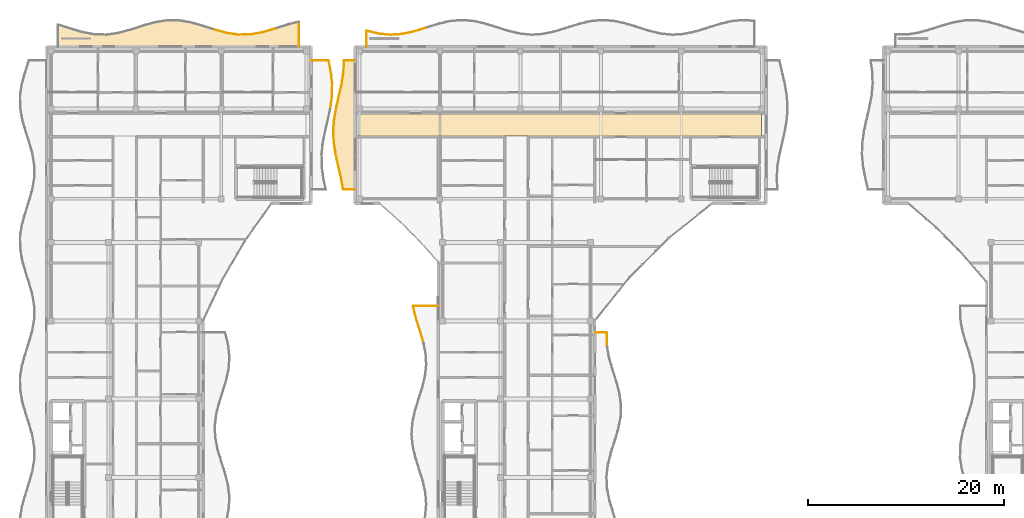
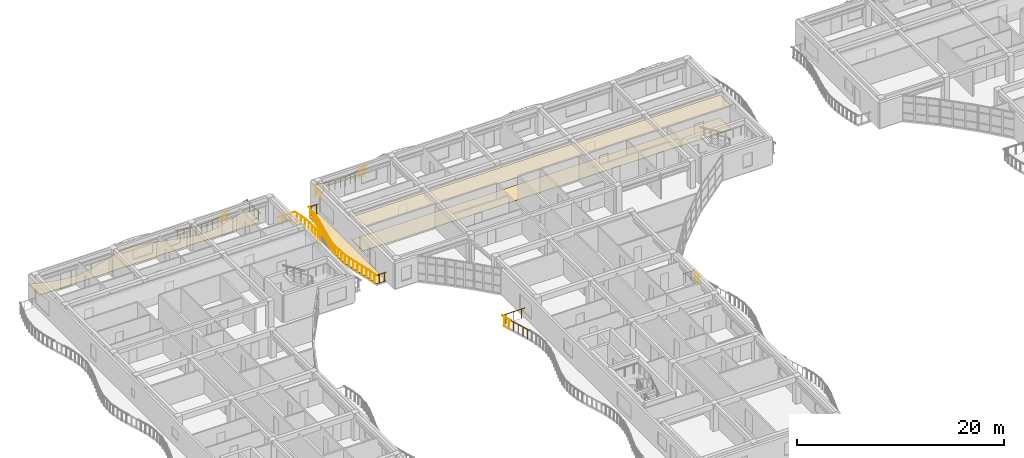
# One storey, part 56 of 72: 36 railings, 4 coverings.
"""IFC4 building model written with IfcOpenShell, lengths in metres."""

from ifc_helpers import new_model, si_unit, direction, frame, origin, origin_2d, place, context, subcontext, project, spatial, polyline, circle, outline, extrude, material, layer, layer_set, type_object, element, save


model = new_model("IFC4")

# Units and contexts
model_context = context("Model", 3, precision=1e-05, world=origin(), true_north=direction((0.0, 1.0)))
body_context = subcontext(model_context, "Body", "Model", "MODEL_VIEW")
ifc_project = project(units=[si_unit("LENGTHUNIT", "METRE"), si_unit("AREAUNIT", "SQUARE_METRE"), si_unit("VOLUMEUNIT", "CUBIC_METRE"), si_unit("PLANEANGLEUNIT", "RADIAN"), si_unit("MASSUNIT", "GRAM", prefix="KILO")], contexts=[model_context])

# Site, building, storey
site_placement = place(None, origin())
site = spatial("IfcSite", under=ifc_project, at=site_placement, CompositionType="ELEMENT")
building_placement = place(site_placement, origin())
building = spatial("IfcBuilding", under=site, at=building_placement, Name="Keldmere Railside Commons", CompositionType="ELEMENT")
storey_placement = place(building_placement, frame((0.0, 0.0, 16.9599609375)))
storey = spatial("IfcBuildingStorey", under=building, at=storey_placement, Name="L05", CompositionType="ELEMENT", Elevation=16.9599609375)

# Railings
ifc_material_1 = material(Name="Steel F-24 (S235)", Category="steel")
railing_type = type_object("IfcRailingType", Name="Balcony & Terrace Steel Balustrade 1100", PredefinedType="BALUSTRADE", material=ifc_material_1)
railing_1_placement = place(storey_placement, frame((25.18994140625, 117.726806640625, 0.0)))
element("IfcRailing", 1, at=railing_1_placement, inside=storey, type_object=railing_type, Name="GR-1 GRD-L05-0517", PredefinedType="BALUSTRADE", context=body_context, shape_type="SweptSolid", body=[
    extrude(circle(Radius=0.02392578125, at=origin_2d()), frame((0.0, 0.0, 1.076171875), z_axis=(0.964909527657, -0.26258256499, 0.0), x_axis=(0.26258256499, 0.964909527657, 0.0)), (0.0, 0.0, 1.0), 1.274658203125),
    extrude(circle(Radius=0.02099609375, at=origin_2d()), frame((0.3076171875, -0.083740234375, 0.0)), (0.0, 0.0, 1.0), 1.048095703125),
    extrude(circle(Radius=0.02099609375, at=origin_2d()), frame((0.92236328125, -0.2509765625, 0.0)), (0.0, 0.0, 1.0), 1.048095703125),
])
railing_2_placement = place(storey_placement, frame((26.419921875, 117.39208984375, 0.0)))
element("IfcRailing", 2, at=railing_2_placement, inside=storey, type_object=railing_type, Name="GR-1 GRD-L05-0518", PredefinedType="BALUSTRADE", context=body_context, shape_type="SweptSolid", body=[
    extrude(circle(Radius=0.02392578125, at=origin_2d()), frame((0.0, 0.0, 1.076171875), z_axis=(0.989692500415, -0.143208779834, 0.0), x_axis=(0.143208779834, 0.989692500415, 0.0)), (0.0, 0.0, 1.0), 1.24267578125),
    extrude(circle(Radius=0.02099609375, at=origin_2d()), frame((0.3076171875, -0.04443359375, 0.0)), (0.0, 0.0, 1.0), 1.048095703125),
    extrude(circle(Radius=0.02099609375, at=origin_2d()), frame((0.92236328125, -0.133544921875, 0.0)), (0.0, 0.0, 1.0), 1.048095703125),
])
railing_3_placement = place(storey_placement, frame((27.64990234375, 117.214111328125, 0.0)))
element("IfcRailing", 3, at=railing_3_placement, inside=storey, type_object=railing_type, Name="GR-1 GRD-L05-0519", PredefinedType="BALUSTRADE", context=body_context, shape_type="SweptSolid", body=[
    extrude(circle(Radius=0.02392578125, at=origin_2d()), frame((0.0, 0.0, 1.076171875), z_axis=(0.999716448844, 0.023812221886, 0.0), x_axis=(-0.023812221886, 0.999716448844, 0.0)), (0.0, 0.0, 1.0), 1.230224609375),
    extrude(circle(Radius=0.02099609375, at=origin_2d()), frame((0.3076171875, 0.00732421875, 0.0)), (0.0, 0.0, 1.0), 1.048095703125),
    extrude(circle(Radius=0.02099609375, at=origin_2d()), frame((0.92236328125, 0.02197265625, 0.0)), (0.0, 0.0, 1.0), 1.048095703125),
])
railing_4_placement = place(storey_placement, frame((28.8798828125, 117.243408203125, 0.0)))
element("IfcRailing", 4, at=railing_4_placement, inside=storey, type_object=railing_type, Name="GR-1 GRD-L05-0520", PredefinedType="BALUSTRADE", context=body_context, shape_type="SweptSolid", body=[
    extrude(circle(Radius=0.02392578125, at=origin_2d()), frame((0.0, 0.0, 1.076171875), z_axis=(0.983287180592, 0.182061309683, 0.0), x_axis=(-0.182061309683, 0.983287180592, 0.0)), (0.0, 0.0, 1.0), 1.251220703125),
    extrude(circle(Radius=0.02099609375, at=origin_2d()), frame((0.3076171875, 0.056884765625, 0.0)), (0.0, 0.0, 1.0), 1.048095703125),
    extrude(circle(Radius=0.02099609375, at=origin_2d()), frame((0.922607421875, 0.1708984375, 0.0)), (0.0, 0.0, 1.0), 1.048095703125),
])
railing_5_placement = place(storey_placement, frame((30.110107421875, 117.47119140625, 0.0)))
element("IfcRailing", 5, at=railing_5_placement, inside=storey, type_object=railing_type, Name="GR-1 GRD-L05-0521", PredefinedType="BALUSTRADE", context=body_context, shape_type="SweptSolid", body=[
    extrude(circle(Radius=0.02392578125, at=origin_2d()), frame((0.0, 0.0, 1.076171875), z_axis=(0.959250209605, 0.282558021249, 0.0), x_axis=(-0.282558021249, 0.959250209605, 0.0)), (0.0, 0.0, 1.0), 1.2822265625),
    extrude(circle(Radius=0.02099609375, at=origin_2d()), frame((0.3076171875, 0.090576171875, 0.0)), (0.0, 0.0, 1.0), 1.048095703125),
    extrude(circle(Radius=0.02099609375, at=origin_2d()), frame((0.92236328125, 0.271728515625, 0.0)), (0.0, 0.0, 1.0), 1.048095703125),
])
railing_6_placement = place(storey_placement, frame((33.800048828125, 118.54541015625, 0.0)))
element("IfcRailing", 6, at=railing_6_placement, inside=storey, type_object=railing_type, Name="GR-1 GRD-L05-0524", PredefinedType="BALUSTRADE", context=body_context, shape_type="SweptSolid", body=[
    extrude(circle(Radius=0.02392578125, at=origin_2d()), frame((0.0, 0.0, 1.076171875), z_axis=(0.0, -1.0, 0.0), x_axis=(1.0, 0.0, 0.0)), (0.0, 0.0, 1.0), 2.54541015625),
    extrude(circle(Radius=0.02099609375, at=origin_2d()), frame((0.0, -0.42431640625, 0.0)), (0.0, 0.0, 1.0), 1.048095703125),
    extrude(circle(Radius=0.02099609375, at=origin_2d()), frame((0.0, -1.272705078125, 0.0)), (0.0, 0.0, 1.0), 1.048095703125),
    extrude(circle(Radius=0.02099609375, at=origin_2d()), frame((0.0, -2.12109375, 0.0)), (0.0, 0.0, 1.0), 1.048095703125),
])
railing_7_placement = place(storey_placement, frame((37.017578125, 109.800048828125, 0.0)))
element("IfcRailing", 7, at=railing_7_placement, inside=storey, type_object=railing_type, Name="GR-1 GRD-L05-0604", PredefinedType="BALUSTRADE", context=body_context, shape_type="SweptSolid", body=[
    extrude(circle(Radius=0.02392578125, at=origin_2d()), frame((0.0, 0.0, 1.076171875), z_axis=(0.128329859482, 0.991731539866, 0.0), x_axis=(-0.991731539866, 0.128329859482, 0.0)), (0.0, 0.0, 1.0), 1.2099609375),
    extrude(circle(Radius=0.02099609375, at=origin_2d()), frame((0.038818359375, 0.300048828125, 0.0)), (0.0, 0.0, 1.0), 1.048095703125),
    extrude(circle(Radius=0.02099609375, at=origin_2d()), frame((0.116455078125, 0.89990234375, 0.0)), (0.0, 0.0, 1.0), 1.048095703125),
])
railing_8_placement = place(storey_placement, frame((37.1728515625, 111.0, 0.0)))
element("IfcRailing", 8, at=railing_8_placement, inside=storey, type_object=railing_type, Name="GR-1 GRD-L05-0605", PredefinedType="BALUSTRADE", context=body_context, shape_type="SweptSolid", body=[
    extrude(circle(Radius=0.02392578125, at=origin_2d()), frame((0.0, 0.0, 1.076171875), z_axis=(0.012613442063, 0.999920447375, 0.0), x_axis=(-0.999920447375, 0.012613442063, 0.0)), (0.0, 0.0, 1.0), 1.199951171875),
    extrude(circle(Radius=0.02099609375, at=origin_2d()), frame((0.00390625, 0.300048828125, 0.0)), (0.0, 0.0, 1.0), 1.048095703125),
    extrude(circle(Radius=0.02099609375, at=origin_2d()), frame((0.01123046875, 0.89990234375, 0.0)), (0.0, 0.0, 1.0), 1.048095703125),
])
railing_9_placement = place(storey_placement, frame((37.18798828125, 112.199951171875, 0.0)))
element("IfcRailing", 9, at=railing_9_placement, inside=storey, type_object=railing_type, Name="GR-1 GRD-L05-0606", PredefinedType="BALUSTRADE", context=body_context, shape_type="SweptSolid", body=[
    extrude(circle(Radius=0.02392578125, at=origin_2d()), frame((0.0, 0.0, 1.076171875), z_axis=(-0.106811689433, 0.994279268114, 0.0), x_axis=(-0.994279268114, -0.106811689433, 0.0)), (0.0, 0.0, 1.0), 1.206787109375),
    extrude(circle(Radius=0.02099609375, at=origin_2d()), frame((-0.0322265625, 0.300048828125, 0.0)), (0.0, 0.0, 1.0), 1.048095703125),
    extrude(circle(Radius=0.02099609375, at=origin_2d()), frame((-0.0966796875, 0.89990234375, 0.0)), (0.0, 0.0, 1.0), 1.048095703125),
])
railing_10_placement = place(storey_placement, frame((37.05908203125, 113.39990234375, 0.0)))
element("IfcRailing", 10, at=railing_10_placement, inside=storey, type_object=railing_type, Name="GR-1 GRD-L05-0607", PredefinedType="BALUSTRADE", context=body_context, shape_type="SweptSolid", body=[
    extrude(circle(Radius=0.02392578125, at=origin_2d()), frame((0.0, 0.0, 1.076171875), z_axis=(-0.194926571974, 0.980817838102, 0.0), x_axis=(-0.980817838102, -0.194926571974, 0.0)), (0.0, 0.0, 1.0), 1.2236328125),
    extrude(circle(Radius=0.02099609375, at=origin_2d()), frame((-0.0595703125, 0.300048828125, 0.0)), (0.0, 0.0, 1.0), 1.048095703125),
    extrude(circle(Radius=0.02099609375, at=origin_2d()), frame((-0.178955078125, 0.900146484375, 0.0)), (0.0, 0.0, 1.0), 1.048095703125),
])
railing_11_placement = place(storey_placement, frame((36.820556640625, 114.60009765625, 0.0)))
element("IfcRailing", 11, at=railing_11_placement, inside=storey, type_object=railing_type, Name="GR-1 GRD-L05-0608", PredefinedType="BALUSTRADE", context=body_context, shape_type="SweptSolid", body=[
    extrude(circle(Radius=0.02392578125, at=origin_2d()), frame((0.0, 0.0, 1.076171875), z_axis=(-1.0, 0.0, 0.0), x_axis=(0.0, -1.0, 0.0)), (0.0, 0.0, 1.0), 1.820556640625),
    extrude(circle(Radius=0.02099609375, at=origin_2d()), frame((-0.455078125, 0.0, 0.0)), (0.0, 0.0, 1.0), 1.048095703125),
    extrude(circle(Radius=0.02099609375, at=origin_2d()), frame((-1.365478515625, 0.0, 0.0)), (0.0, 0.0, 1.0), 1.048095703125),
])
railing_12_placement = place(storey_placement, frame((40.699951171875, 116.0, 0.0)))
element("IfcRailing", 12, at=railing_12_placement, inside=storey, type_object=railing_type, Name="GR-1 GRD-L05-1306", PredefinedType="BALUSTRADE", context=body_context, shape_type="SweptSolid", body=[
    extrude(circle(Radius=0.02392578125, at=origin_2d()), frame((0.0, 0.0, 1.076171875), z_axis=(0.0, 1.0, 0.0), x_axis=(-1.0, 0.0, 0.0)), (0.0, 0.0, 1.0), 1.6181640625),
    extrude(circle(Radius=0.02099609375, at=origin_2d()), frame((0.0, 0.404541015625, 0.0)), (0.0, 0.0, 1.0), 1.048095703125),
    extrude(circle(Radius=0.02099609375, at=origin_2d()), frame((0.0, 1.213623046875, 0.0)), (0.0, 0.0, 1.0), 1.048095703125),
])
railing_13_placement = place(storey_placement, frame((40.699951171875, 117.6181640625, 0.0)))
element("IfcRailing", 13, at=railing_13_placement, inside=storey, type_object=railing_type, Name="GR-1 GRD-L05-1307", PredefinedType="BALUSTRADE", context=body_context, shape_type="SweptSolid", body=[
    extrude(circle(Radius=0.02392578125, at=origin_2d()), frame((0.0, 0.0, 1.076171875), z_axis=(0.971692139908, -0.23625068305, 0.0), x_axis=(0.23625068305, 0.971692139908, 0.0)), (0.0, 0.0, 1.0), 1.23486328125),
    extrude(circle(Radius=0.02099609375, at=origin_2d()), frame((0.300048828125, -0.072998046875, 0.0)), (0.0, 0.0, 1.0), 1.048095703125),
    extrude(circle(Radius=0.02099609375, at=origin_2d()), frame((0.89990234375, -0.21875, 0.0)), (0.0, 0.0, 1.0), 1.048095703125),
])
railing_14_placement = place(storey_placement, frame((41.89990234375, 117.326416015625, 0.0)))
element("IfcRailing", 14, at=railing_14_placement, inside=storey, type_object=railing_type, Name="GR-1 GRD-L05-1308", PredefinedType="BALUSTRADE", context=body_context, shape_type="SweptSolid", body=[
    extrude(circle(Radius=0.02392578125, at=origin_2d()), frame((0.0, 0.0, 1.076171875), z_axis=(0.994640972243, -0.103389246708, 0.0), x_axis=(0.103389246708, 0.994640972243, 0.0)), (0.0, 0.0, 1.0), 1.20654296875),
    extrude(circle(Radius=0.02099609375, at=origin_2d()), frame((0.300048828125, -0.03125, 0.0)), (0.0, 0.0, 1.0), 1.048095703125),
    extrude(circle(Radius=0.02099609375, at=origin_2d()), frame((0.900146484375, -0.093505859375, 0.0)), (0.0, 0.0, 1.0), 1.048095703125),
])
railing_15_placement = place(storey_placement, frame((43.10009765625, 117.20166015625, 0.0)))
element("IfcRailing", 15, at=railing_15_placement, inside=storey, type_object=railing_type, Name="GR-1 GRD-L05-1309", PredefinedType="BALUSTRADE", context=body_context, shape_type="SweptSolid", body=[
    extrude(circle(Radius=0.02392578125, at=origin_2d()), frame((0.0, 0.0, 1.076171875), z_axis=(0.998016861928, 0.062947146937, 0.0), x_axis=(-0.062947146937, 0.998016861928, 0.0)), (0.0, 0.0, 1.0), 1.202392578125),
    extrude(circle(Radius=0.02099609375, at=origin_2d()), frame((0.300048828125, 0.01904296875, 0.0)), (0.0, 0.0, 1.0), 1.048095703125),
    extrude(circle(Radius=0.02099609375, at=origin_2d()), frame((0.89990234375, 0.056640625, 0.0)), (0.0, 0.0, 1.0), 1.048095703125),
])
railing_16_placement = place(storey_placement, frame((44.300048828125, 117.27734375, 0.0)))
element("IfcRailing", 16, at=railing_16_placement, inside=storey, type_object=railing_type, Name="GR-1 GRD-L05-1310", PredefinedType="BALUSTRADE", context=body_context, shape_type="SweptSolid", body=[
    extrude(circle(Radius=0.02392578125, at=origin_2d()), frame((0.0, 0.0, 1.076171875), z_axis=(0.977973885386, 0.208727284999, 0.0), x_axis=(-0.208727284999, 0.977973885386, 0.0)), (0.0, 0.0, 1.0), 1.22705078125),
    extrude(circle(Radius=0.02099609375, at=origin_2d()), frame((0.300048828125, 0.06396484375, 0.0)), (0.0, 0.0, 1.0), 1.048095703125),
    extrude(circle(Radius=0.02099609375, at=origin_2d()), frame((0.89990234375, 0.192138671875, 0.0)), (0.0, 0.0, 1.0), 1.048095703125),
])
railing_17_placement = place(storey_placement, frame((45.5, 117.533447265625, 0.0)))
element("IfcRailing", 17, at=railing_17_placement, inside=storey, type_object=railing_type, Name="GR-1 GRD-L05-1311", PredefinedType="BALUSTRADE", context=body_context, shape_type="SweptSolid", body=[
    extrude(circle(Radius=0.02392578125, at=origin_2d()), frame((0.0, 0.0, 1.076171875), z_axis=(0.956123250848, 0.292964723454, 0.0), x_axis=(-0.292964723454, 0.956123250848, 0.0)), (0.0, 0.0, 1.0), 1.255126953125),
    extrude(circle(Radius=0.02099609375, at=origin_2d()), frame((0.300048828125, 0.091796875, 0.0)), (0.0, 0.0, 1.0), 1.048095703125),
    extrude(circle(Radius=0.02099609375, at=origin_2d()), frame((0.89990234375, 0.27587890625, 0.0)), (0.0, 0.0, 1.0), 1.048095703125),
])
railing_18_placement = place(storey_placement, frame((65.230224609375, 85.574951171875, 0.0)))
element("IfcRailing", 18, at=railing_18_placement, inside=storey, type_object=railing_type, Name="GR-1 GRD-L05-1365", PredefinedType="BALUSTRADE", context=body_context, shape_type="SweptSolid", body=[
    extrude(circle(Radius=0.02392578125, at=origin_2d()), frame((0.0, 0.0, 1.076171875), z_axis=(-0.005779098391, 0.999983300871, 0.0), x_axis=(-0.999983300871, -0.005779098391, 0.0)), (0.0, 0.0, 1.0), 1.22509765625),
    extrude(circle(Radius=0.02099609375, at=origin_2d()), frame((-0.001708984375, 0.30615234375, 0.0)), (0.0, 0.0, 1.0), 1.048095703125),
    extrude(circle(Radius=0.02099609375, at=origin_2d()), frame((-0.00537109375, 0.9189453125, 0.0)), (0.0, 0.0, 1.0), 1.048095703125),
])
railing_19_placement = place(storey_placement, frame((65.22314453125, 86.800048828125, 0.0)))
element("IfcRailing", 19, at=railing_19_placement, inside=storey, type_object=railing_type, Name="GR-1 GRD-L05-1366", PredefinedType="BALUSTRADE", context=body_context, shape_type="SweptSolid", body=[
    extrude(circle(Radius=0.02392578125, at=origin_2d()), frame((0.0, 0.0, 1.076171875), z_axis=(-1.0, 0.0, 0.0), x_axis=(0.0, -1.0, 0.0)), (0.0, 0.0, 1.0), 1.22314453125),
    extrude(circle(Radius=0.02099609375, at=origin_2d()), frame((-0.3056640625, 0.0, 0.0)), (0.0, 0.0, 1.0), 1.048095703125),
    extrude(circle(Radius=0.02099609375, at=origin_2d()), frame((-0.91748046875, 0.0, 0.0)), (0.0, 0.0, 1.0), 1.048095703125),
])
railing_20_placement = place(storey_placement, frame((46.47314453125, 85.933349609375, 0.0)))
element("IfcRailing", 20, at=railing_20_placement, inside=storey, type_object=railing_type, Name="GR-1 GRD-L05-1392", PredefinedType="BALUSTRADE", context=body_context, shape_type="SweptSolid", body=[
    extrude(circle(Radius=0.02392578125, at=origin_2d()), frame((0.0, 0.0, 1.076171875), z_axis=(-0.291669591507, 0.956519131743, 0.0), x_axis=(-0.956519131743, -0.291669591507, 0.0)), (0.0, 0.0, 1.0), 1.242919921875),
    extrude(circle(Radius=0.02099609375, at=origin_2d()), frame((-0.090576171875, 0.29736328125, 0.0)), (0.0, 0.0, 1.0), 1.048095703125),
    extrude(circle(Radius=0.02099609375, at=origin_2d()), frame((-0.27197265625, 0.8916015625, 0.0)), (0.0, 0.0, 1.0), 1.048095703125),
])
railing_21_placement = place(storey_placement, frame((46.110595703125, 87.122314453125, 0.0)))
element("IfcRailing", 21, at=railing_21_placement, inside=storey, type_object=railing_type, Name="GR-1 GRD-L05-1393", PredefinedType="BALUSTRADE", context=body_context, shape_type="SweptSolid", body=[
    extrude(circle(Radius=0.02392578125, at=origin_2d()), frame((0.0, 0.0, 1.076171875), z_axis=(-0.303518657479, 0.952825495336, 0.0), x_axis=(-0.952825495336, -0.303518657479, 0.0)), (0.0, 0.0, 1.0), 1.24755859375),
    extrude(circle(Radius=0.02099609375, at=origin_2d()), frame((-0.0947265625, 0.297119140625, 0.0)), (0.0, 0.0, 1.0), 1.048095703125),
    extrude(circle(Radius=0.02099609375, at=origin_2d()), frame((-0.283935546875, 0.8916015625, 0.0)), (0.0, 0.0, 1.0), 1.048095703125),
])
railing_22_placement = place(storey_placement, frame((45.73193359375, 88.31103515625, 0.0)))
element("IfcRailing", 22, at=railing_22_placement, inside=storey, type_object=railing_type, Name="GR-1 GRD-L05-1394", PredefinedType="BALUSTRADE", context=body_context, shape_type="SweptSolid", body=[
    extrude(circle(Radius=0.02392578125, at=origin_2d()), frame((0.0, 0.0, 1.076171875), z_axis=(-0.24075324795, 0.970586355561, 0.0), x_axis=(-0.970586355561, -0.24075324795, 0.0)), (0.0, 0.0, 1.0), 1.22509765625),
    extrude(circle(Radius=0.02099609375, at=origin_2d()), frame((-0.07373046875, 0.29736328125, 0.0)), (0.0, 0.0, 1.0), 1.048095703125),
    extrude(circle(Radius=0.02099609375, at=origin_2d()), frame((-0.22119140625, 0.8916015625, 0.0)), (0.0, 0.0, 1.0), 1.048095703125),
])
railing_23_placement = place(storey_placement, frame((45.43701171875, 89.5, 0.0)))
element("IfcRailing", 23, at=railing_23_placement, inside=storey, type_object=railing_type, Name="GR-1 GRD-L05-1395", PredefinedType="BALUSTRADE", context=body_context, shape_type="SweptSolid", body=[
    extrude(circle(Radius=0.02392578125, at=origin_2d()), frame((0.0, 0.0, 1.076171875), z_axis=(1.0, 0.0, 0.0), x_axis=(0.0, 1.0, 0.0)), (0.0, 0.0, 1.0), 2.56298828125),
    extrude(circle(Radius=0.02099609375, at=origin_2d()), frame((0.42724609375, 0.0, 0.0)), (0.0, 0.0, 1.0), 1.048095703125),
    extrude(circle(Radius=0.02099609375, at=origin_2d()), frame((1.281494140625, 0.0, 0.0)), (0.0, 0.0, 1.0), 1.048095703125),
    extrude(circle(Radius=0.02099609375, at=origin_2d()), frame((2.1357421875, 0.0, 0.0)), (0.0, 0.0, 1.0), 1.048095703125),
])
railing_24_placement = place(storey_placement, frame((39.5, 101.39990234375, 0.0)))
element("IfcRailing", 24, at=railing_24_placement, inside=storey, type_object=railing_type, Name="GR-1 GRD-L05-1409", PredefinedType="BALUSTRADE", context=body_context, shape_type="SweptSolid", body=[
    extrude(circle(Radius=0.02392578125, at=origin_2d()), frame((0.0, 0.0, 1.076171875), z_axis=(-1.0, 0.0, 0.0), x_axis=(0.0, -1.0, 0.0)), (0.0, 0.0, 1.0), 1.1923828125),
    extrude(circle(Radius=0.02099609375, at=origin_2d()), frame((-0.298095703125, 0.0, 0.0)), (0.0, 0.0, 1.0), 1.048095703125),
    extrude(circle(Radius=0.02099609375, at=origin_2d()), frame((-0.894287109375, 0.0, 0.0)), (0.0, 0.0, 1.0), 1.048095703125),
])
railing_25_placement = place(storey_placement, frame((38.3076171875, 101.39990234375, 0.0)))
element("IfcRailing", 25, at=railing_25_placement, inside=storey, type_object=railing_type, Name="GR-1 GRD-L05-1410", PredefinedType="BALUSTRADE", context=body_context, shape_type="SweptSolid", body=[
    extrude(circle(Radius=0.02392578125, at=origin_2d()), frame((0.0, 0.0, 1.076171875), z_axis=(-0.175236093414, 0.984526440257, 0.0), x_axis=(-0.984526440257, -0.175236093414, 0.0)), (0.0, 0.0, 1.0), 1.218994140625),
    extrude(circle(Radius=0.02099609375, at=origin_2d()), frame((-0.053466796875, 0.300048828125, 0.0)), (0.0, 0.0, 1.0), 1.048095703125),
    extrude(circle(Radius=0.02099609375, at=origin_2d()), frame((-0.16015625, 0.900146484375, 0.0)), (0.0, 0.0, 1.0), 1.048095703125),
])
railing_26_placement = place(storey_placement, frame((38.093994140625, 102.60009765625, 0.0)))
element("IfcRailing", 26, at=railing_26_placement, inside=storey, type_object=railing_type, Name="GR-1 GRD-L05-1411", PredefinedType="BALUSTRADE", context=body_context, shape_type="SweptSolid", body=[
    extrude(circle(Radius=0.02392578125, at=origin_2d()), frame((0.0, 0.0, 1.076171875), z_axis=(-0.226697113125, 0.973965306826, 0.0), x_axis=(-0.973965306826, -0.226697113125, 0.0)), (0.0, 0.0, 1.0), 1.23193359375),
    extrude(circle(Radius=0.02099609375, at=origin_2d()), frame((-0.06982421875, 0.300048828125, 0.0)), (0.0, 0.0, 1.0), 1.048095703125),
    extrude(circle(Radius=0.02099609375, at=origin_2d()), frame((-0.20947265625, 0.89990234375, 0.0)), (0.0, 0.0, 1.0), 1.048095703125),
])
railing_27_placement = place(storey_placement, frame((37.814697265625, 103.800048828125, 0.0)))
element("IfcRailing", 27, at=railing_27_placement, inside=storey, type_object=railing_type, Name="GR-1 GRD-L05-1412", PredefinedType="BALUSTRADE", context=body_context, shape_type="SweptSolid", body=[
    extrude(circle(Radius=0.02392578125, at=origin_2d()), frame((0.0, 0.0, 1.076171875), z_axis=(-0.219157904751, 0.97568940385, 0.0), x_axis=(-0.97568940385, -0.219157904751, 0.0)), (0.0, 0.0, 1.0), 1.229736328125),
    extrude(circle(Radius=0.02099609375, at=origin_2d()), frame((-0.0673828125, 0.300048828125, 0.0)), (0.0, 0.0, 1.0), 1.048095703125),
    extrude(circle(Radius=0.02099609375, at=origin_2d()), frame((-0.2021484375, 0.89990234375, 0.0)), (0.0, 0.0, 1.0), 1.048095703125),
])
railing_28_placement = place(storey_placement, frame((37.545166015625, 105.0, 0.0)))
element("IfcRailing", 28, at=railing_28_placement, inside=storey, type_object=railing_type, Name="GR-1 GRD-L05-1413", PredefinedType="BALUSTRADE", context=body_context, shape_type="SweptSolid", body=[
    extrude(circle(Radius=0.02392578125, at=origin_2d()), frame((0.0, 0.0, 1.076171875), z_axis=(-0.154775432703, 0.987949677581, 0.0), x_axis=(-0.987949677581, -0.154775432703, 0.0)), (0.0, 0.0, 1.0), 1.214599609375),
    extrude(circle(Radius=0.02099609375, at=origin_2d()), frame((-0.046875, 0.300048828125, 0.0)), (0.0, 0.0, 1.0), 1.048095703125),
    extrude(circle(Radius=0.02099609375, at=origin_2d()), frame((-0.14111328125, 0.89990234375, 0.0)), (0.0, 0.0, 1.0), 1.048095703125),
])
railing_29_placement = place(storey_placement, frame((37.357177734375, 106.199951171875, 0.0)))
element("IfcRailing", 29, at=railing_29_placement, inside=storey, type_object=railing_type, Name="GR-1 GRD-L05-1414", PredefinedType="BALUSTRADE", context=body_context, shape_type="SweptSolid", body=[
    extrude(circle(Radius=0.02392578125, at=origin_2d()), frame((0.0, 0.0, 1.076171875), z_axis=(-0.046744370991, 0.99890688444, 0.0), x_axis=(-0.99890688444, -0.046744370991, 0.0)), (0.0, 0.0, 1.0), 1.201171875),
    extrude(circle(Radius=0.02099609375, at=origin_2d()), frame((-0.01416015625, 0.300048828125, 0.0)), (0.0, 0.0, 1.0), 1.048095703125),
    extrude(circle(Radius=0.02099609375, at=origin_2d()), frame((-0.0419921875, 0.89990234375, 0.0)), (0.0, 0.0, 1.0), 1.048095703125),
])
railing_30_placement = place(storey_placement, frame((37.301025390625, 107.39990234375, 0.0)))
element("IfcRailing", 30, at=railing_30_placement, inside=storey, type_object=railing_type, Name="GR-1 GRD-L05-1415", PredefinedType="BALUSTRADE", context=body_context, shape_type="SweptSolid", body=[
    extrude(circle(Radius=0.02392578125, at=origin_2d()), frame((0.0, 0.0, 1.076171875), z_axis=(0.075858897958, 0.997118562459, 0.0), x_axis=(-0.997118562459, 0.075858897958, 0.0)), (0.0, 0.0, 1.0), 1.20361328125),
    extrude(circle(Radius=0.02099609375, at=origin_2d()), frame((0.02294921875, 0.300048828125, 0.0)), (0.0, 0.0, 1.0), 1.048095703125),
    extrude(circle(Radius=0.02099609375, at=origin_2d()), frame((0.068359375, 0.900146484375, 0.0)), (0.0, 0.0, 1.0), 1.048095703125),
])
railing_31_placement = place(storey_placement, frame((37.392333984375, 108.60009765625, 0.0)))
element("IfcRailing", 31, at=railing_31_placement, inside=storey, type_object=railing_type, Name="GR-1 GRD-L05-1416", PredefinedType="BALUSTRADE", context=body_context, shape_type="SweptSolid", body=[
    extrude(circle(Radius=0.02392578125, at=origin_2d()), frame((0.0, 0.0, 1.076171875), z_axis=(0.175270651584, 0.984520288614, 0.0), x_axis=(-0.984520288614, 0.175270651584, 0.0)), (0.0, 0.0, 1.0), 1.21875),
    extrude(circle(Radius=0.02099609375, at=origin_2d()), frame((0.053466796875, 0.300048828125, 0.0)), (0.0, 0.0, 1.0), 1.048095703125),
    extrude(circle(Radius=0.02099609375, at=origin_2d()), frame((0.16015625, 0.89990234375, 0.0)), (0.0, 0.0, 1.0), 1.048095703125),
])
railing_32_placement = place(storey_placement, frame((37.60595703125, 109.800048828125, 0.0)))
element("IfcRailing", 32, at=railing_32_placement, inside=storey, type_object=railing_type, Name="GR-1 GRD-L05-1417", PredefinedType="BALUSTRADE", context=body_context, shape_type="SweptSolid", body=[
    extrude(circle(Radius=0.02392578125, at=origin_2d()), frame((0.0, 0.0, 1.076171875), z_axis=(0.226697113125, 0.973965306826, 0.0), x_axis=(-0.973965306826, 0.226697113125, 0.0)), (0.0, 0.0, 1.0), 1.23193359375),
    extrude(circle(Radius=0.02099609375, at=origin_2d()), frame((0.06982421875, 0.300048828125, 0.0)), (0.0, 0.0, 1.0), 1.048095703125),
    extrude(circle(Radius=0.02099609375, at=origin_2d()), frame((0.20947265625, 0.89990234375, 0.0)), (0.0, 0.0, 1.0), 1.048095703125),
])
railing_33_placement = place(storey_placement, frame((37.88525390625, 111.0, 0.0)))
element("IfcRailing", 33, at=railing_33_placement, inside=storey, type_object=railing_type, Name="GR-1 GRD-L05-1418", PredefinedType="BALUSTRADE", context=body_context, shape_type="SweptSolid", body=[
    extrude(circle(Radius=0.02392578125, at=origin_2d()), frame((0.0, 0.0, 1.076171875), z_axis=(0.219157904751, 0.97568940385, 0.0), x_axis=(-0.97568940385, 0.219157904751, 0.0)), (0.0, 0.0, 1.0), 1.229736328125),
    extrude(circle(Radius=0.02099609375, at=origin_2d()), frame((0.0673828125, 0.300048828125, 0.0)), (0.0, 0.0, 1.0), 1.048095703125),
    extrude(circle(Radius=0.02099609375, at=origin_2d()), frame((0.2021484375, 0.89990234375, 0.0)), (0.0, 0.0, 1.0), 1.048095703125),
])
railing_34_placement = place(storey_placement, frame((38.15478515625, 112.199951171875, 0.0)))
element("IfcRailing", 34, at=railing_34_placement, inside=storey, type_object=railing_type, Name="GR-1 GRD-L05-1419", PredefinedType="BALUSTRADE", context=body_context, shape_type="SweptSolid", body=[
    extrude(circle(Radius=0.02392578125, at=origin_2d()), frame((0.0, 0.0, 1.076171875), z_axis=(0.154971615388, 0.987918923001, 0.0), x_axis=(-0.987918923001, 0.154971615388, 0.0)), (0.0, 0.0, 1.0), 1.214599609375),
    extrude(circle(Radius=0.02099609375, at=origin_2d()), frame((0.047119140625, 0.300048828125, 0.0)), (0.0, 0.0, 1.0), 1.048095703125),
    extrude(circle(Radius=0.02099609375, at=origin_2d()), frame((0.14111328125, 0.89990234375, 0.0)), (0.0, 0.0, 1.0), 1.048095703125),
])
railing_35_placement = place(storey_placement, frame((38.343017578125, 113.39990234375, 0.0)))
element("IfcRailing", 35, at=railing_35_placement, inside=storey, type_object=railing_type, Name="GR-1 GRD-L05-1420", PredefinedType="BALUSTRADE", context=body_context, shape_type="SweptSolid", body=[
    extrude(circle(Radius=0.02392578125, at=origin_2d()), frame((0.0, 0.0, 1.076171875), z_axis=(0.046532128923, 0.998916793821, 0.0), x_axis=(-0.998916793821, 0.046532128923, 0.0)), (0.0, 0.0, 1.0), 1.201416015625),
    extrude(circle(Radius=0.02099609375, at=origin_2d()), frame((0.013916015625, 0.300048828125, 0.0)), (0.0, 0.0, 1.0), 1.048095703125),
    extrude(circle(Radius=0.02099609375, at=origin_2d()), frame((0.0419921875, 0.900146484375, 0.0)), (0.0, 0.0, 1.0), 1.048095703125),
])
railing_36_placement = place(storey_placement, frame((38.39892578125, 114.60009765625, 0.0)))
element("IfcRailing", 36, at=railing_36_placement, inside=storey, type_object=railing_type, Name="GR-1 GRD-L05-1421", PredefinedType="BALUSTRADE", context=body_context, shape_type="SweptSolid", body=[
    extrude(circle(Radius=0.02392578125, at=origin_2d()), frame((0.0, 0.0, 1.076171875), z_axis=(1.0, 0.0, 0.0), x_axis=(0.0, 1.0, 0.0)), (0.0, 0.0, 1.0), 1.10107421875),
    extrude(circle(Radius=0.02099609375, at=origin_2d()), frame((0.275390625, 0.0, 0.0)), (0.0, 0.0, 1.0), 1.048095703125),
    extrude(circle(Radius=0.02099609375, at=origin_2d()), frame((0.82568359375, 0.0, 0.0)), (0.0, 0.0, 1.0), 1.048095703125),
])

# Coverings
ifc_material_2 = material(Name="Polished Terrazzo Tile Flooring", Category="concrete")
ifc_layer_1 = layer(ifc_material_2, 0.030029296875, Name="Polished Terrazzo Floor Finish 30")
ifc_layer_set_1 = layer_set([ifc_layer_1], Name="Polished Terrazzo Tile Flooring")
covering_type_1 = type_object("IfcCoveringType", Name="Polished Terrazzo Floor Finish 30", PredefinedType="FLOORING", material=ifc_layer_set_1)
covering_1_placement = place(storey_placement, origin())
element("IfcCovering", 37, at=covering_1_placement, inside=storey, type_object=covering_type_1, Name="FLR-1 Corridor Terrazzo C-L05", PredefinedType="FLOORING", context=body_context, shape_type="SweptSolid", body=[
    extrude(outline(polyline([(39.97998046875, 106.8798828125), (81.02001953125, 106.8798828125), (81.02001953125, 109.1201171875), (39.97998046875, 109.1201171875), (39.97998046875, 106.8798828125)])), origin(), (0.0, 0.0, 1.0), 0.030029296875),
])
ifc_material_3 = material(Name="Acoustic Mineral-Fibre Gypsum Ceiling", Category="gypsum")
ifc_layer_2 = layer(ifc_material_3, 0.02490234375, Name="Suspended Acoustic Ceiling 25")
ifc_layer_set_2 = layer_set([ifc_layer_2], Name="Acoustic Mineral-Fibre Gypsum Ceiling")
covering_type_2 = type_object("IfcCoveringType", Name="Suspended Acoustic Ceiling 25", PredefinedType="CEILING", material=ifc_layer_set_2)
covering_2_placement = place(storey_placement, frame((0.0, 0.0, 2.675048828125)))
element("IfcCovering", 38, at=covering_2_placement, inside=storey, type_object=covering_type_2, Name="CLG-1 Corridor Ceiling C-L05", PredefinedType="CEILING", context=body_context, shape_type="SweptSolid", body=[
    extrude(outline(polyline([(39.97998046875, 106.8798828125), (81.02001953125, 106.8798828125), (81.02001953125, 109.1201171875), (39.97998046875, 109.1201171875), (39.97998046875, 106.8798828125)])), origin(), (0.0, 0.0, 1.0), 0.02490234375),
])
ifc_material_4 = material(Name="White Precast Concrete C35/45", Category="concrete")
ifc_layer_3 = layer(ifc_material_4, 0.044921875, Name="White Architectural Balcony Ribbon Cladding 45")
ifc_layer_set_3 = layer_set([ifc_layer_3], Name="White Precast Concrete C35/45")
covering_type_3 = type_object("IfcCoveringType", Name="White Architectural Balcony Ribbon Cladding 45", PredefinedType="FLOORING", material=ifc_layer_set_3)
covering_3_placement = place(storey_placement, origin())
element("IfcCovering", 39, at=covering_3_placement, inside=storey, type_object=covering_type_3, Name="CLG-WB D L05 N White Balcony Ribbon", PredefinedType="FLOORING", context=body_context, shape_type="SweptSolid", body=[
    extrude(outline(polyline([(33.760009765625, 116.0400390625), (33.760009765625, 118.493896484375), (32.5810546875, 118.190185546875), (31.352294921875, 117.79541015625), (31.351318359375, 117.795166015625), (30.121337890625, 117.4326171875), (30.1171875, 117.431884765625), (28.88720703125, 117.2041015625), (28.884033203125, 117.20361328125), (28.880859375, 117.203369140625), (27.65087890625, 117.17431640625), (27.647705078125, 117.17431640625), (27.644287109375, 117.174560546875), (26.414306640625, 117.3525390625), (26.409423828125, 117.353515625), (25.179443359375, 117.688232421875), (25.177734375, 117.688720703125), (23.948486328125, 118.0859375), (22.72119140625, 118.43359375), (21.496826171875, 118.63427734375), (20.273193359375, 118.632080078125), (19.048828125, 118.427734375), (17.821533203125, 118.077880859375), (16.59228515625, 117.680908203125), (16.59033203125, 117.680419921875), (15.3603515625, 117.34814453125), (15.355712890625, 117.34716796875), (14.12548828125, 117.173095703125), (14.122314453125, 117.1728515625), (14.118896484375, 117.172607421875), (12.888916015625, 117.2060546875), (12.8857421875, 117.206298828125), (12.882568359375, 117.206787109375), (11.652587890625, 117.43798828125), (11.648681640625, 117.43896484375), (10.418701171875, 117.80322265625), (10.417724609375, 117.803466796875), (9.239990234375, 118.181396484375), (9.239990234375, 116.0400390625), (33.760009765625, 116.0400390625)])), origin(), (0.0, 0.0, 1.0), 0.044921875),
])
covering_4_placement = place(storey_placement, origin())
element("IfcCovering", 40, at=covering_4_placement, inside=storey, type_object=covering_type_3, Name="CLG-WB C L05 WW White Balcony Ribbon", PredefinedType="FLOORING", context=body_context, shape_type="SweptSolid", body=[
    extrude(outline(polyline([(39.4599609375, 114.56005859375), (38.43701171875, 114.56005859375), (38.3828125, 113.398193359375), (38.38232421875, 113.393798828125), (38.1943359375, 112.19384765625), (38.19384765625, 112.191162109375), (37.92431640625, 110.9912109375), (37.92431640625, 110.990966796875), (37.645263671875, 109.7919921875), (37.431884765625, 108.594970703125), (37.34130859375, 107.3994140625), (37.39697265625, 106.2041015625), (37.58447265625, 105.007568359375), (37.853759765625, 103.808837890625), (38.133056640625, 102.609130859375), (38.13330078125, 102.60693359375), (38.34130859375, 101.43994140625), (39.4599609375, 101.43994140625), (39.4599609375, 114.56005859375)])), origin(), (0.0, 0.0, 1.0), 0.044921875),
])

save(model, "model.ifc")
